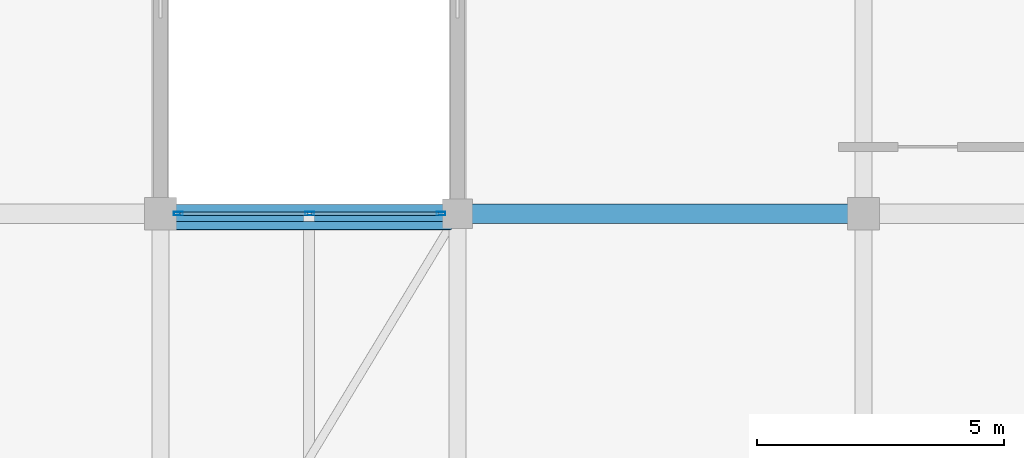
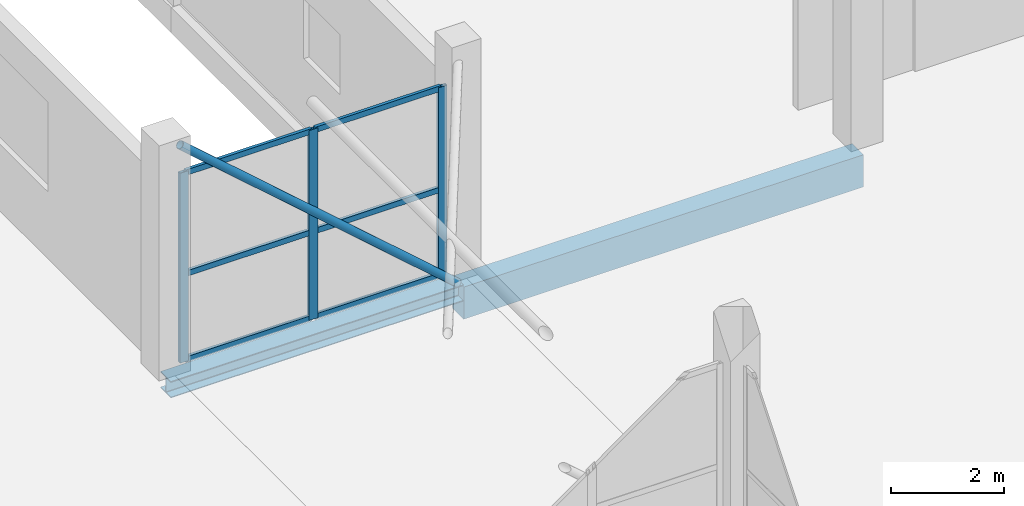
# One storey, part 37 of 66: 10 members, 2 beams, 1 element without a shape of its own.
"""IFC4 building model written with IfcOpenShell, lengths in metres."""

from ifc_helpers import new_model, si_unit, direction, frame, origin, origin_2d, place, context, subcontext, project, spatial, rectangle, hollow_rectangle, hollow_circle, i_section, extrude, material, layer, layer_set, material_profile, profile_set, type_object, element, aggregate, save


model = new_model("IFC4")

# Units and contexts
model_context = context("Model", 3, precision=1e-05, world=origin(), true_north=direction((0.0, 1.0)))
body_context = subcontext(model_context, "Body", "Model", "MODEL_VIEW")
ifc_project = project(units=[si_unit("LENGTHUNIT", "METRE"), si_unit("AREAUNIT", "SQUARE_METRE"), si_unit("VOLUMEUNIT", "CUBIC_METRE"), si_unit("PLANEANGLEUNIT", "RADIAN"), si_unit("MASSUNIT", "GRAM", prefix="KILO")], contexts=[model_context])

# Site, building, storey
site_placement = place(None, origin())
site = spatial("IfcSite", under=ifc_project, at=site_placement, CompositionType="ELEMENT")
building_placement = place(site_placement, origin())
building = spatial("IfcBuilding", under=site, at=building_placement, Name="Sillaruma Civic Art Gallery", CompositionType="ELEMENT")
storey_placement = place(building_placement, frame((0.0, 0.0, 57.1201171875)))
storey = spatial("IfcBuildingStorey", under=building, at=storey_placement, Name="L11", CompositionType="ELEMENT", Elevation=57.1201171875)

# Beams
ifc_material_1 = material(Name="Concrete H35 (35 MPa)", Category="concrete")
ifc_material_profile_1 = material_profile(ifc_material_1, rectangle(XDim=0.39990234375, YDim=0.699951171875, at=origin_2d()), Name="RCB400x700")
ifc_profile_set_1 = profile_set([ifc_material_profile_1], Name="Concrete H35 (35 MPa)")
beam_type_1 = type_object("IfcBeamType", Name="BM-BEAM-RCB400x700", PredefinedType="BEAM", material=ifc_profile_set_1)
beam_1_placement = place(storey_placement, frame((98.0, 79.199951171875, -0.60009765625), z_axis=(1.0, 0.0, 0.0), x_axis=(0.0, 1.0, 0.0)))
element("IfcBeam", 1, at=beam_1_placement, inside=storey, type_object=beam_type_1, Name="Beam BM-04 (L10:9:L-M)", PredefinedType="BEAM", context=body_context, shape_type="SweptSolid", body=[
    extrude(rectangle(XDim=0.39990234375, YDim=0.699951171875, at=origin_2d()), origin(), (0.0, 0.0, 1.0), 8.199951171875),
])
ifc_material_2 = material(Name="Structural Steel ASTM A992 Gr.50", Category="steel")
ifc_material_profile_2 = material_profile(ifc_material_2, i_section(OverallWidth=0.368896484375, OverallDepth=0.35595703125, WebThickness=0.01123046875, FlangeThickness=0.01806640625, FilletRadius=0.014892578125, at=origin_2d()), Name="W360x134")
ifc_profile_set_2 = profile_set([ifc_material_profile_2], Name="Structural Steel ASTM A992 Gr.50")
beam_type_2 = type_object("IfcBeamType", Name="BM-BRIDGE-W360x134", PredefinedType="SPANDREL", material=ifc_profile_set_2)
beam_2_placement = place(storey_placement, frame((92.0, 79.199951171875, -0.38818359375), z_axis=(1.0, 0.0, 0.0), x_axis=(0.0, 1.0, 0.0)))
element("IfcBeam", 2, at=beam_2_placement, inside=storey, type_object=beam_type_2, Name="Sky-Bridge Steel Edge Girder (BRG-N:L11:N)", PredefinedType="SPANDREL", context=body_context, shape_type="SweptSolid", body=[
    extrude(i_section(OverallWidth=0.368896484375, OverallDepth=0.35595703125, WebThickness=0.01123046875, FlangeThickness=0.01806640625, FilletRadius=0.014892578125, at=origin_2d()), origin(), (0.0, 0.0, 1.0), 6.0),
])

# Member
ifc_material_3 = material(Name="Structural Steel ASTM A500 Gr.C", Category="steel")
ifc_material_profile_3 = material_profile(ifc_material_3, hollow_circle(Radius=0.084228515625, WallThickness=0.007080078125, at=origin_2d()), Name="CHS168.3x7.1")
ifc_profile_set_3 = profile_set([ifc_material_profile_3], Name="Structural Steel ASTM A500 Gr.C")
member_type_1 = type_object("IfcMemberType", Name="MEM-BRIDGE-BRACE", PredefinedType="BRACE", material=ifc_profile_set_3)
member_1_placement = place(storey_placement, frame((97.85009765625, 78.9599609375, -0.080078125), z_axis=(-0.752424953383, 0.0, 0.658677986217), x_axis=(0.0, -1.0, 0.0)))
element("IfcMember", 3, at=member_1_placement, inside=storey, type_object=member_type_1, Name="Sky-Bridge Elevation Truss Web Brace (BRG-N:L11:N)", PredefinedType="BRACE", context=body_context, shape_type="SweptSolid", body=[
    extrude(hollow_circle(Radius=0.084228515625, WallThickness=0.007080078125, at=origin_2d()), origin(), (0.0, 0.0, 1.0), 7.57568359375),
])

# Curtain wall, members
ifc_material_4 = material(Name="Thermally Broken Extruded Aluminium 6063-T6", Category="aluminium")
ifc_layer = layer(ifc_material_4, 0.179931640625, Name="Thermally Broken Extruded Aluminium 6063-T6")
ifc_layer_set = layer_set([ifc_layer], Name="Thermally Broken Extruded Aluminium 6063-T6")
curtain_wall_type = type_object("IfcCurtainWallType", Name="CW-UNI-89", PredefinedType="NOTDEFINED", material=ifc_layer_set)
curtain_wall_placement = place(storey_placement, origin())
curtain_wall = element("IfcCurtainWall", 4, at=curtain_wall_placement, inside=storey, type_object=curtain_wall_type, Name="Unitised Curtain Wall CW-89 (CW-BRG-N-L11-N)", PredefinedType="NOTDEFINED")
ifc_material_profile_4 = material_profile(ifc_material_4, hollow_rectangle(XDim=0.070068359375, YDim=0.179931640625, WallThickness=0.00390625, at=origin_2d()), Name="CWM70x180")
ifc_profile_set_4 = profile_set([ifc_material_profile_4], Name="Thermally Broken Extruded Aluminium 6063-T6")
member_type_2 = type_object("IfcMemberType", Name="MEM-MUL-CWM70x180", PredefinedType="MULLION", material=ifc_profile_set_4)
member_2_placement = place(storey_placement, frame((92.360107421875, 79.199951171875, 0.0), z_axis=(0.0, 0.0, 1.0), x_axis=(0.0, 1.0, 0.0)))
member_2 = element("IfcMember", 5, at=member_2_placement, type_object=member_type_2, Name="CW-89 mullion 1", PredefinedType="MULLION", context=body_context, shape_type="SweptSolid", body=[
    extrude(hollow_rectangle(XDim=0.070068359375, YDim=0.179931640625, WallThickness=0.00390625, at=origin_2d()), origin(), (0.0, 0.0, 1.0), 4.119873046875),
])
member_3_placement = place(storey_placement, frame((95.012451171875, 79.199951171875, 0.0), z_axis=(0.0, 0.0, 1.0), x_axis=(0.0, 1.0, 0.0)))
member_3 = element("IfcMember", 6, at=member_3_placement, type_object=member_type_2, Name="CW-89 mullion 2", PredefinedType="MULLION", context=body_context, shape_type="SweptSolid", body=[
    extrude(hollow_rectangle(XDim=0.070068359375, YDim=0.179931640625, WallThickness=0.00390625, at=origin_2d()), origin(), (0.0, 0.0, 1.0), 4.119873046875),
])
member_4_placement = place(storey_placement, frame((97.6650390625, 79.199951171875, 0.0), z_axis=(0.0, 0.0, 1.0), x_axis=(0.0, 1.0, 0.0)))
member_4 = element("IfcMember", 7, at=member_4_placement, type_object=member_type_2, Name="CW-89 mullion 3", PredefinedType="MULLION", context=body_context, shape_type="SweptSolid", body=[
    extrude(hollow_rectangle(XDim=0.070068359375, YDim=0.179931640625, WallThickness=0.00390625, at=origin_2d()), origin(), (0.0, 0.0, 1.0), 4.119873046875),
])
ifc_material_profile_5 = material_profile(ifc_material_4, hollow_rectangle(XDim=0.06494140625, YDim=0.1201171875, WallThickness=0.00341796875, at=origin_2d()), Name="CWT65x120")
ifc_profile_set_5 = profile_set([ifc_material_profile_5], Name="Thermally Broken Extruded Aluminium 6063-T6")
member_type_3 = type_object("IfcMemberType", Name="MEM-TRN-CWT65x120", PredefinedType="USERDEFINED", material=ifc_profile_set_5)
member_5_placement = place(storey_placement, frame((92.39501953125, 79.199951171875, 0.032470703125), z_axis=(1.0, 0.0, 0.0), x_axis=(0.0, 1.0, 0.0)))
member_5 = element("IfcMember", 8, at=member_5_placement, type_object=member_type_3, Name="CW-89 transom 1.1", ObjectType="TRANSOM", PredefinedType="USERDEFINED", context=body_context, shape_type="SweptSolid", body=[
    extrude(hollow_rectangle(XDim=0.06494140625, YDim=0.1201171875, WallThickness=0.00341796875, at=origin_2d()), origin(), (0.0, 0.0, 1.0), 2.58251953125),
])
member_6_placement = place(storey_placement, frame((92.39501953125, 79.199951171875, 1.89501953125), z_axis=(1.0, 0.0, 0.0), x_axis=(0.0, 1.0, 0.0)))
member_6 = element("IfcMember", 9, at=member_6_placement, type_object=member_type_3, Name="CW-89 transom 1.2", ObjectType="TRANSOM", PredefinedType="USERDEFINED", context=body_context, shape_type="SweptSolid", body=[
    extrude(hollow_rectangle(XDim=0.06494140625, YDim=0.1201171875, WallThickness=0.00341796875, at=origin_2d()), origin(), (0.0, 0.0, 1.0), 2.58251953125),
])
member_7_placement = place(storey_placement, frame((92.39501953125, 79.199951171875, 4.08740234375), z_axis=(1.0, 0.0, 0.0), x_axis=(0.0, 1.0, 0.0)))
member_7 = element("IfcMember", 10, at=member_7_placement, type_object=member_type_3, Name="CW-89 transom 1.3", ObjectType="TRANSOM", PredefinedType="USERDEFINED", context=body_context, shape_type="SweptSolid", body=[
    extrude(hollow_rectangle(XDim=0.06494140625, YDim=0.1201171875, WallThickness=0.00341796875, at=origin_2d()), origin(), (0.0, 0.0, 1.0), 2.58251953125),
])
member_8_placement = place(storey_placement, frame((95.047607421875, 79.199951171875, 0.032470703125), z_axis=(1.0, 0.0, 0.0), x_axis=(0.0, 1.0, 0.0)))
member_8 = element("IfcMember", 11, at=member_8_placement, type_object=member_type_3, Name="CW-89 transom 2.1", ObjectType="TRANSOM", PredefinedType="USERDEFINED", context=body_context, shape_type="SweptSolid", body=[
    extrude(hollow_rectangle(XDim=0.06494140625, YDim=0.1201171875, WallThickness=0.00341796875, at=origin_2d()), origin(), (0.0, 0.0, 1.0), 2.582275390625),
])
member_9_placement = place(storey_placement, frame((95.047607421875, 79.199951171875, 1.89501953125), z_axis=(1.0, 0.0, 0.0), x_axis=(0.0, 1.0, 0.0)))
member_9 = element("IfcMember", 12, at=member_9_placement, type_object=member_type_3, Name="CW-89 transom 2.2", ObjectType="TRANSOM", PredefinedType="USERDEFINED", context=body_context, shape_type="SweptSolid", body=[
    extrude(hollow_rectangle(XDim=0.06494140625, YDim=0.1201171875, WallThickness=0.00341796875, at=origin_2d()), origin(), (0.0, 0.0, 1.0), 2.582275390625),
])
member_10_placement = place(storey_placement, frame((95.047607421875, 79.199951171875, 4.08740234375), z_axis=(1.0, 0.0, 0.0), x_axis=(0.0, 1.0, 0.0)))
member_10 = element("IfcMember", 13, at=member_10_placement, type_object=member_type_3, Name="CW-89 transom 2.3", ObjectType="TRANSOM", PredefinedType="USERDEFINED", context=body_context, shape_type="SweptSolid", body=[
    extrude(hollow_rectangle(XDim=0.06494140625, YDim=0.1201171875, WallThickness=0.00341796875, at=origin_2d()), origin(), (0.0, 0.0, 1.0), 2.582275390625),
])
aggregate(curtain_wall, [member_2, member_3, member_4, member_5, member_6, member_7, member_8, member_9, member_10])

save(model, "model.ifc")
